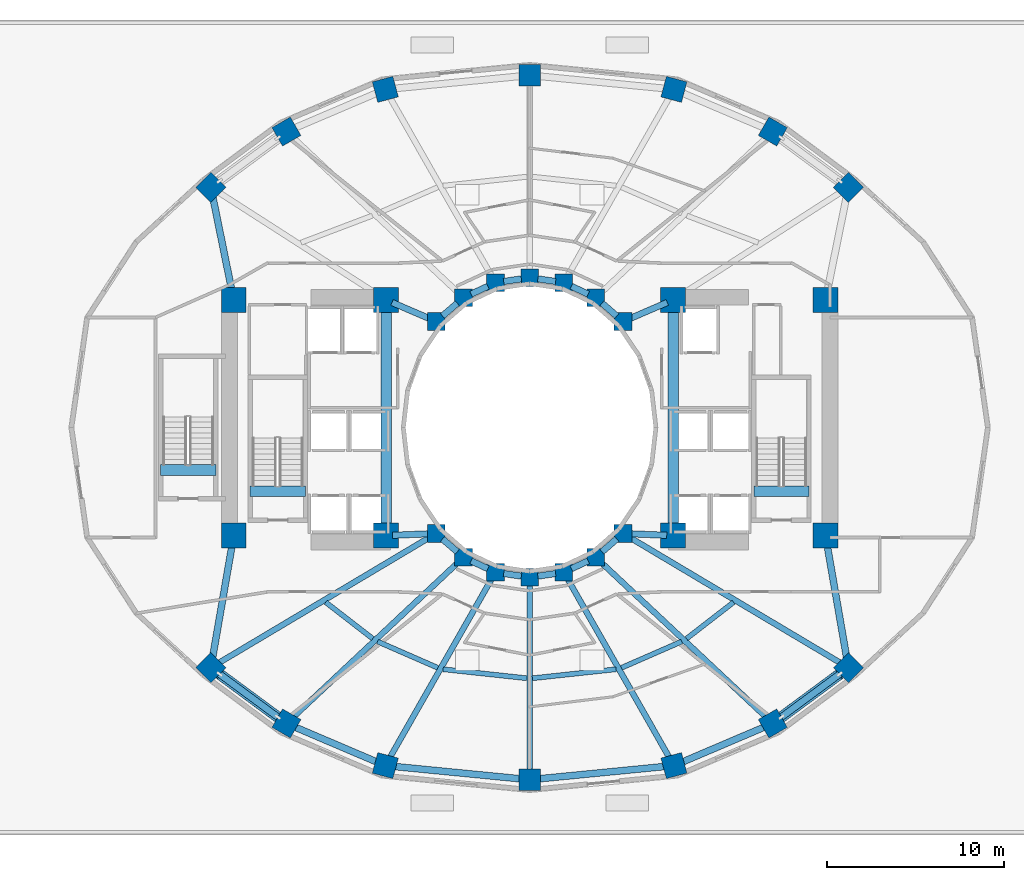
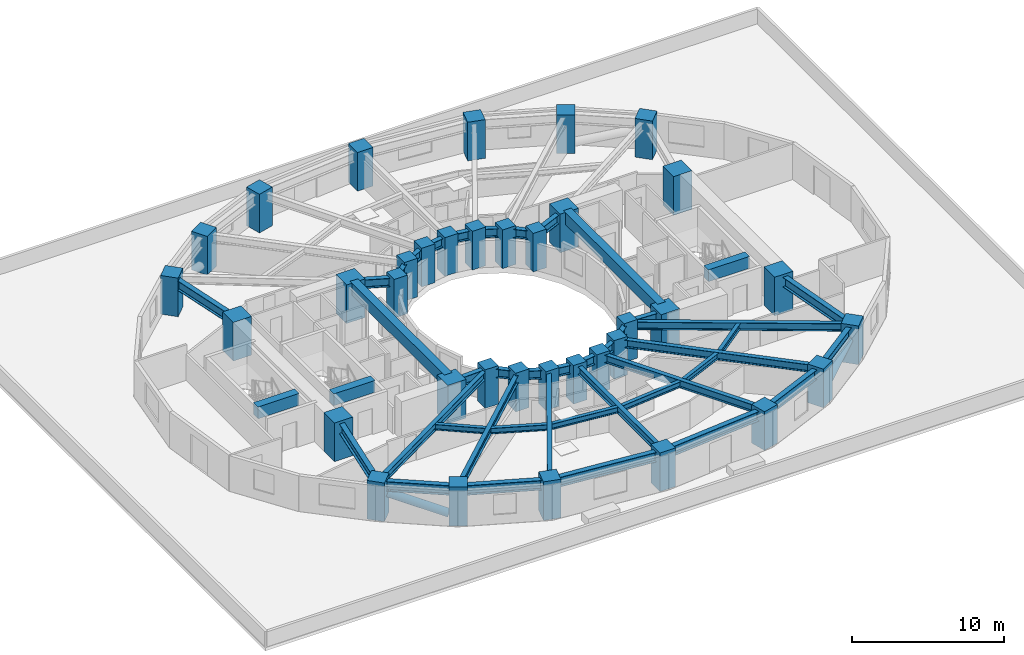
# One storey, part 1 of 10: 43 beams, 36 columns, 2 members.
"""IFC4 building model written with IfcOpenShell, lengths in metres."""

from ifc_helpers import new_model, si_unit, direction, frame, origin, origin_2d, place, context, subcontext, project, spatial, rectangle, hollow_circle, i_section, extrude, material, material_profile, profile_set, type_object, element, save


model = new_model("IFC4")

# Units and contexts
model_context = context("Model", 3, precision=1e-05, world=origin(), true_north=direction((0.0, 1.0)))
body_context = subcontext(model_context, "Body", "Model", "MODEL_VIEW")
ifc_project = project(units=[si_unit("LENGTHUNIT", "METRE"), si_unit("AREAUNIT", "SQUARE_METRE"), si_unit("VOLUMEUNIT", "CUBIC_METRE"), si_unit("PLANEANGLEUNIT", "RADIAN"), si_unit("MASSUNIT", "GRAM", prefix="KILO")], contexts=[model_context])

# Site, building, storey
site_placement = place(None, origin())
site = spatial("IfcSite", under=ifc_project, at=site_placement, CompositionType="ELEMENT")
building_placement = place(site_placement, origin())
building = spatial("IfcBuilding", under=site, at=building_placement, Name="Solvane Sanctuary Tower", CompositionType="ELEMENT")
storey_placement = place(building_placement, frame((0.0, 0.0, 27.60009765625)))
storey = spatial("IfcBuildingStorey", under=building, at=storey_placement, Name="L07", CompositionType="ELEMENT", Elevation=27.60009765625)

# Columns
ifc_material_1 = material(Name="Concrete C70/85", Category="concrete")
ifc_material_profile_1 = material_profile(ifc_material_1, rectangle(XDim=1.39990234375, YDim=1.39990234375, at=origin_2d()), Name="RC1400X1400")
ifc_profile_set_1 = profile_set([ifc_material_profile_1], Name="Concrete C70/85")
column_type_1 = type_object("IfcColumnType", Name="Column C-POD-INT RC1400X1400", PredefinedType="COLUMN", material=ifc_profile_set_1)
for number, where, z_axis, x_axis, name in (
    (1, (15.300048828125, 16.89990234375, 0.0), (0.0, 0.0, 1.0), (1.0, 0.0, 0.0), "L07 Core Corner Column CW1"),
    (2, (23.89990234375, 16.89990234375, 0.0), (0.0, 0.0, 1.0), (1.0, 0.0, 0.0), "L07 Core Corner Column CW2"),
    (3, (23.89990234375, 30.199951171875, 0.0), (0.0, 0.0, 1.0), (1.0, 0.0, 0.0), "L07 Core Corner Column CW3"),
    (4, (15.300048828125, 30.199951171875, 0.0), (0.0, 0.0, 1.0), (1.0, 0.0, 0.0), "L07 Core Corner Column CW4"),
    (5, (40.10009765625, 16.89990234375, 0.0), (0.0, 0.0, 1.0), (1.0, 0.0, 0.0), "L07 Core Corner Column CE1"),
    (6, (48.699951171875, 16.89990234375, 0.0), (0.0, 0.0, 1.0), (1.0, 0.0, 0.0), "L07 Core Corner Column CE2"),
    (7, (48.699951171875, 30.199951171875, 0.0), (0.0, 0.0, 1.0), (1.0, 0.0, 0.0), "L07 Core Corner Column CE3"),
    (8, (40.10009765625, 30.199951171875, 0.0), (0.0, 0.0, 1.0), (1.0, 0.0, 0.0), "L07 Core Corner Column CE4"),
):
    element("IfcColumn", number, at=place(storey_placement, frame(where, z_axis=z_axis, x_axis=x_axis)), inside=storey, type_object=column_type_1, Name=name, PredefinedType="COLUMN", context=body_context, shape_type="SweptSolid", body=[
        extrude(rectangle(XDim=1.39990234375, YDim=1.39990234375, at=origin_2d()), origin(), (0.0, 0.0, 1.0), 3.099853515625),
    ])
ifc_material_profile_2 = material_profile(ifc_material_1, rectangle(XDim=1.0, YDim=1.0, at=origin_2d()), Name="RC1000X1000")
ifc_profile_set_2 = profile_set([ifc_material_profile_2], Name="Concrete C70/85")
column_type_2 = type_object("IfcColumnType", Name="Column C-RING-Z1 RC1000X1000", PredefinedType="COLUMN", material=ifc_profile_set_2)
for number, where, z_axis, x_axis, name in (
    (9, (37.27490234375, 28.982177734375, 0.0), (0.0, 0.0, 1.0), (1.0, 0.0, 0.0), "L07 Inner Light-Well Ring Column IC01"),
    (10, (35.72998046875, 30.32666015625, 0.0), (0.0, 0.0, 1.0), (1.0, 0.0, 0.0), "L07 Inner Light-Well Ring Column IC02"),
    (11, (33.930908203125, 31.171630859375, 0.0), (0.0, 0.0, 1.0), (1.0, 0.0, 0.0), "L07 Inner Light-Well Ring Column IC03"),
    (12, (32.0, 31.4599609375, 0.0), (0.0, 0.0, 1.0), (1.0, 0.0, 0.0), "L07 Inner Light-Well Ring Column IC04"),
    (13, (30.069091796875, 31.171630859375, 0.0), (0.0, 0.0, 1.0), (1.0, 0.0, 0.0), "L07 Inner Light-Well Ring Column IC05"),
    (14, (28.27001953125, 30.32666015625, 0.0), (0.0, 0.0, 1.0), (1.0, 0.0, 0.0), "L07 Inner Light-Well Ring Column IC06"),
    (15, (26.72509765625, 28.982177734375, 0.0), (0.0, 0.0, 1.0), (1.0, 0.0, 0.0), "L07 Inner Light-Well Ring Column IC07"),
    (16, (26.72509765625, 17.017822265625, 0.0), (0.0, 0.0, 1.0), (1.0, 0.0, 0.0), "L07 Inner Light-Well Ring Column IC08"),
    (17, (28.27001953125, 15.67333984375, 0.0), (0.0, 0.0, 1.0), (1.0, 0.0, 0.0), "L07 Inner Light-Well Ring Column IC09"),
    (18, (30.069091796875, 14.828369140625, 0.0), (0.0, 0.0, 1.0), (1.0, 0.0, 0.0), "L07 Inner Light-Well Ring Column IC10"),
    (19, (32.0, 14.5400390625, 0.0), (0.0, 0.0, 1.0), (1.0, 0.0, 0.0), "L07 Inner Light-Well Ring Column IC11"),
    (20, (33.930908203125, 14.828369140625, 0.0), (0.0, 0.0, 1.0), (1.0, 0.0, 0.0), "L07 Inner Light-Well Ring Column IC12"),
    (21, (35.72998046875, 15.67333984375, 0.0), (0.0, 0.0, 1.0), (1.0, 0.0, 0.0), "L07 Inner Light-Well Ring Column IC13"),
    (22, (37.27490234375, 17.017822265625, 0.0), (0.0, 0.0, 1.0), (1.0, 0.0, 0.0), "L07 Inner Light-Well Ring Column IC14"),
):
    element("IfcColumn", number, at=place(storey_placement, frame(where, z_axis=z_axis, x_axis=x_axis)), inside=storey, type_object=column_type_2, Name=name, PredefinedType="COLUMN", context=body_context, shape_type="SweptSolid", body=[
        extrude(rectangle(XDim=1.0, YDim=1.0, at=origin_2d()), origin(), (0.0, 0.0, 1.0), 3.099853515625),
    ])
ifc_material_profile_3 = material_profile(ifc_material_1, rectangle(XDim=1.199951171875, YDim=1.199951171875, at=origin_2d()), Name="RC1200X1200")
ifc_profile_set_3 = profile_set([ifc_material_profile_3], Name="Concrete C70/85")
column_type_3 = type_object("IfcColumnType", Name="Column C-TUBE-Z1 RC1200X1200", PredefinedType="COLUMN", material=ifc_profile_set_3)
for number, where, z_axis, x_axis, name in (
    (23, (49.99169921875, 36.5537109375, 0.0), (0.0, 0.0, 1.0), (0.707106781187, 0.707106781187, 0.0), "L07 Perimeter Tube Column TC01"),
    (24, (45.727294921875, 39.7041015625, 0.0), (0.0, 0.0, 1.0), (0.5, 0.866025403784, 0.0), "L07 Perimeter Tube Column TC02"),
    (25, (40.14501953125, 42.083740234375, 0.0), (0.0, 0.0, 1.0), (0.258819045103, 0.965925826289, 0.0), "L07 Perimeter Tube Column TC03"),
    (26, (32.0, 42.8798828125, 0.0), (0.0, 0.0, 1.0), (0.0, 1.0, 0.0), "L07 Perimeter Tube Column TC04"),
    (27, (23.85498046875, 42.083740234375, 0.0), (0.0, 0.0, 1.0), (-0.258819045103, 0.965925826289, 0.0), "L07 Perimeter Tube Column TC05"),
    (28, (18.272705078125, 39.7041015625, 0.0), (0.0, 0.0, 1.0), (-0.5, 0.866025403784, 0.0), "L07 Perimeter Tube Column TC06"),
    (29, (14.00830078125, 36.5537109375, 0.0), (0.0, 0.0, 1.0), (-0.707106781187, 0.707106781187, 0.0), "L07 Perimeter Tube Column TC07"),
    (30, (14.00830078125, 9.4462890625, 0.0), (0.0, 0.0, 1.0), (-0.707106781187, -0.707106781187, 0.0), "L07 Perimeter Tube Column TC08"),
    (31, (18.272705078125, 6.2958984375, 0.0), (0.0, 0.0, 1.0), (-0.5, -0.866025403784, 0.0), "L07 Perimeter Tube Column TC09"),
    (32, (23.85498046875, 3.916259765625, 0.0), (0.0, 0.0, 1.0), (-0.258819045103, -0.965925826289, 0.0), "L07 Perimeter Tube Column TC10"),
    (33, (32.0, 3.1201171875, 0.0), (0.0, 0.0, 1.0), (0.0, -1.0, 0.0), "L07 Perimeter Tube Column TC11"),
    (34, (40.14501953125, 3.916259765625, 0.0), (0.0, 0.0, 1.0), (0.258819045103, -0.965925826289, 0.0), "L07 Perimeter Tube Column TC12"),
    (35, (45.727294921875, 6.2958984375, 0.0), (0.0, 0.0, 1.0), (0.5, -0.866025403784, 0.0), "L07 Perimeter Tube Column TC13"),
    (36, (49.99169921875, 9.4462890625, 0.0), (0.0, 0.0, 1.0), (0.707106781187, -0.707106781187, 0.0), "L07 Perimeter Tube Column TC14"),
):
    element("IfcColumn", number, at=place(storey_placement, frame(where, z_axis=z_axis, x_axis=x_axis)), inside=storey, type_object=column_type_3, Name=name, PredefinedType="COLUMN", context=body_context, shape_type="SweptSolid", body=[
        extrude(rectangle(XDim=1.199951171875, YDim=1.199951171875, at=origin_2d()), origin(), (0.0, 0.0, 1.0), 3.099853515625),
    ])

# Beams
ifc_material_profile_4 = material_profile(ifc_material_1, rectangle(XDim=0.60009765625, YDim=0.949951171875, at=origin_2d()), Name="RC600X950")
ifc_profile_set_4 = profile_set([ifc_material_profile_4], Name="Concrete C70/85")
beam_type_1 = type_object("IfcBeamType", Name="Beam B-COUPLE RC600X950", PredefinedType="LINTEL", material=ifc_profile_set_4)
for number, where, z_axis, x_axis, name in (
    (37, (23.89990234375, 17.35009765625, 2.625), (0.0, 1.0, 0.0), (-1.0, 0.0, 0.0), "L07 West Core Coupling Lintel"),
    (38, (40.10009765625, 17.35009765625, 2.625), (0.0, 1.0, 0.0), (-1.0, 0.0, 0.0), "L07 East Core Coupling Lintel"),
):
    element("IfcBeam", number, at=place(storey_placement, frame(where, z_axis=z_axis, x_axis=x_axis)), inside=storey, type_object=beam_type_1, Name=name, PredefinedType="LINTEL", context=body_context, shape_type="SweptSolid", body=[
        extrude(rectangle(XDim=0.60009765625, YDim=0.949951171875, at=origin_2d()), origin(), (0.0, 0.0, 1.0), 12.39990234375),
    ])
for number, where, z_axis, x_axis, name in (
    (39, (16.22998046875, 19.399169921875, 2.625), (1.0, 0.0, 0.0), (0.0, 1.0, 0.0), "L07 ST-1 Stair Floor Landing Trimmer"),
    (40, (44.64990234375, 19.399169921875, 2.625), (1.0, 0.0, 0.0), (0.0, 1.0, 0.0), "L07 ST-2 Stair Floor Landing Trimmer"),
    (41, (11.169921875, 20.59912109375, 2.625), (1.0, 0.0, 0.0), (0.0, 1.0, 0.0), "L07 ST-3 Stair Floor Landing Trimmer"),
):
    element("IfcBeam", number, at=place(storey_placement, frame(where, z_axis=z_axis, x_axis=x_axis)), inside=storey, type_object=beam_type_1, Name=name, PredefinedType="LINTEL", context=body_context, shape_type="SweptSolid", body=[
        extrude(rectangle(XDim=0.60009765625, YDim=0.949951171875, at=origin_2d()), origin(), (0.0, 0.0, 1.0), 3.1201171875),
    ])
ifc_material_2 = material(Name="Steel ASTM A992 Grade 50", Category="steel")
ifc_material_profile_5 = material_profile(ifc_material_2, i_section(OverallWidth=0.323974609375, OverallDepth=0.611083984375, WebThickness=0.0126953125, FlangeThickness=0.01904296875, FilletRadius=0.01611328125, at=origin_2d()), Name="W24X104")
ifc_profile_set_5 = profile_set([ifc_material_profile_5], Name="Steel ASTM A992 Grade 50")
beam_type_2 = type_object("IfcBeamType", Name="Beam B-RAD-Z1 W24X104", PredefinedType="BEAM", material=ifc_profile_set_5)
beam_1_placement = place(storey_placement, frame((26.484375, 16.874755859375, 2.572509765625), z_axis=(-0.859229187027, -0.511590856214, 0.0), x_axis=(0.511590856214, -0.859229187027, 0.0)))
element("IfcBeam", 42, at=beam_1_placement, inside=storey, type_object=beam_type_2, Name="L07 Radial Composite Floor Beam 08", PredefinedType="BEAM", context=body_context, shape_type="SweptSolid", body=[
    extrude(i_section(OverallWidth=0.323974609375, OverallDepth=0.611083984375, WebThickness=0.0126953125, FlangeThickness=0.01904296875, FilletRadius=0.01611328125, at=origin_2d()), origin(), (0.0, 0.0, 1.0), 14.240234375),
])
beam_2_placement = place(storey_placement, frame((28.06591796875, 15.481689453125, 2.572509765625), z_axis=(-0.729363446859, -0.68412642281, 0.0), x_axis=(0.68412642281, -0.729363446859, 0.0)))
element("IfcBeam", 43, at=beam_2_placement, inside=storey, type_object=beam_type_2, Name="L07 Radial Composite Floor Beam 09", PredefinedType="BEAM", context=body_context, shape_type="SweptSolid", body=[
    extrude(i_section(OverallWidth=0.323974609375, OverallDepth=0.611083984375, WebThickness=0.0126953125, FlangeThickness=0.01904296875, FilletRadius=0.01611328125, at=origin_2d()), origin(), (0.0, 0.0, 1.0), 13.14697265625),
])
beam_3_placement = place(storey_placement, frame((29.9306640625, 14.5849609375, 2.572509765625), z_axis=(-0.494862949167, -0.868971036078, 0.0), x_axis=(0.868971036078, -0.494862949167, 0.0)))
element("IfcBeam", 44, at=beam_3_placement, inside=storey, type_object=beam_type_2, Name="L07 Radial Composite Floor Beam 10", PredefinedType="BEAM", context=body_context, shape_type="SweptSolid", body=[
    extrude(i_section(OverallWidth=0.323974609375, OverallDepth=0.611083984375, WebThickness=0.0126953125, FlangeThickness=0.01904296875, FilletRadius=0.01611328125, at=origin_2d()), origin(), (0.0, 0.0, 1.0), 11.997314453125),
])
beam_4_placement = place(storey_placement, frame((32.0, 14.260009765625, 2.572509765625), z_axis=(0.0, -1.0, 0.0), x_axis=(1.0, 0.0, 0.0)))
element("IfcBeam", 45, at=beam_4_placement, inside=storey, type_object=beam_type_2, Name="L07 Radial Composite Floor Beam 11", PredefinedType="BEAM", context=body_context, shape_type="SweptSolid", body=[
    extrude(i_section(OverallWidth=0.323974609375, OverallDepth=0.611083984375, WebThickness=0.0126953125, FlangeThickness=0.01904296875, FilletRadius=0.01611328125, at=origin_2d()), origin(), (0.0, 0.0, 1.0), 10.860107421875),
])
beam_5_placement = place(storey_placement, frame((34.0693359375, 14.5849609375, 2.572509765625), z_axis=(0.494862949167, -0.868971036078, 0.0), x_axis=(0.868971036078, 0.494862949167, 0.0)))
element("IfcBeam", 46, at=beam_5_placement, inside=storey, type_object=beam_type_2, Name="L07 Radial Composite Floor Beam 12", PredefinedType="BEAM", context=body_context, shape_type="SweptSolid", body=[
    extrude(i_section(OverallWidth=0.323974609375, OverallDepth=0.611083984375, WebThickness=0.0126953125, FlangeThickness=0.01904296875, FilletRadius=0.01611328125, at=origin_2d()), origin(), (0.0, 0.0, 1.0), 11.997314453125),
])
beam_6_placement = place(storey_placement, frame((35.93408203125, 15.481689453125, 2.572509765625), z_axis=(0.729363446859, -0.68412642281, 0.0), x_axis=(0.68412642281, 0.729363446859, 0.0)))
element("IfcBeam", 47, at=beam_6_placement, inside=storey, type_object=beam_type_2, Name="L07 Radial Composite Floor Beam 13", PredefinedType="BEAM", context=body_context, shape_type="SweptSolid", body=[
    extrude(i_section(OverallWidth=0.323974609375, OverallDepth=0.611083984375, WebThickness=0.0126953125, FlangeThickness=0.01904296875, FilletRadius=0.01611328125, at=origin_2d()), origin(), (0.0, 0.0, 1.0), 13.14697265625),
])
beam_7_placement = place(storey_placement, frame((37.515625, 16.874755859375, 2.572509765625), z_axis=(0.859229187027, -0.511590856214, 0.0), x_axis=(0.511590856214, 0.859229187027, 0.0)))
element("IfcBeam", 48, at=beam_7_placement, inside=storey, type_object=beam_type_2, Name="L07 Radial Composite Floor Beam 14", PredefinedType="BEAM", context=body_context, shape_type="SweptSolid", body=[
    extrude(i_section(OverallWidth=0.323974609375, OverallDepth=0.611083984375, WebThickness=0.0126953125, FlangeThickness=0.01904296875, FilletRadius=0.01611328125, at=origin_2d()), origin(), (0.0, 0.0, 1.0), 14.240234375),
])
ifc_material_profile_6 = material_profile(ifc_material_2, i_section(OverallWidth=0.35498046875, OverallDepth=0.695068359375, WebThickness=0.015380859375, FlangeThickness=0.02490234375, FilletRadius=0.01806640625, at=origin_2d()), Name="W27X146")
ifc_profile_set_6 = profile_set([ifc_material_profile_6], Name="Steel ASTM A992 Grade 50")
beam_type_3 = type_object("IfcBeamType", Name="Beam B-RING-IN1 W27X146", PredefinedType="BEAM", material=ifc_profile_set_6)
beam_8_placement = place(storey_placement, frame((24.230712890625, 30.0576171875, 2.530517578125), z_axis=(0.918277080365, -0.395938383687, 0.0), x_axis=(0.395938383687, 0.918277080365, 0.0)))
element("IfcBeam", 49, at=beam_8_placement, inside=storey, type_object=beam_type_3, Name="L07 Inner Light-Well Ring Beam CW3-IC07", PredefinedType="BEAM", context=body_context, shape_type="SweptSolid", body=[
    extrude(i_section(OverallWidth=0.35498046875, OverallDepth=0.695068359375, WebThickness=0.015380859375, FlangeThickness=0.02490234375, FilletRadius=0.01806640625, at=origin_2d()), origin(), (0.0, 0.0, 1.0), 2.246337890625),
])
beam_9_placement = place(storey_placement, frame((27.07958984375, 29.29052734375, 2.530517578125), z_axis=(0.754320881993, 0.65650590781, 0.0), x_axis=(-0.65650590781, 0.754320881993, 0.0)))
element("IfcBeam", 50, at=beam_9_placement, inside=storey, type_object=beam_type_3, Name="L07 Inner Light-Well Ring Beam IC07-IC06", PredefinedType="BEAM", context=body_context, shape_type="SweptSolid", body=[
    extrude(i_section(OverallWidth=0.35498046875, OverallDepth=0.695068359375, WebThickness=0.015380859375, FlangeThickness=0.02490234375, FilletRadius=0.01806640625, at=origin_2d()), origin(), (0.0, 0.0, 1.0), 1.108154296875),
])
beam_10_placement = place(storey_placement, frame((28.6953125, 30.5263671875, 2.530517578125), z_axis=(0.905108885866, 0.42517984986, 0.0), x_axis=(-0.42517984986, 0.905108885866, 0.0)))
element("IfcBeam", 51, at=beam_10_placement, inside=storey, type_object=beam_type_3, Name="L07 Inner Light-Well Ring Beam IC06-IC05", PredefinedType="BEAM", context=body_context, shape_type="SweptSolid", body=[
    extrude(i_section(OverallWidth=0.35498046875, OverallDepth=0.695068359375, WebThickness=0.015380859375, FlangeThickness=0.02490234375, FilletRadius=0.01806640625, at=origin_2d()), origin(), (0.0, 0.0, 1.0), 1.0478515625),
])
for number, where, z_axis, x_axis, name in (
    (52, (30.533935546875, 31.2412109375, 2.530517578125), (0.989047520133, 0.147597435338, 0.0), (-0.147597435338, 0.989047520133, 0.0), "L07 Inner Light-Well Ring Beam IC05-IC04"),
    (53, (32.46484375, 31.390625, 2.530517578125), (0.989047520133, -0.147597435338, 0.0), (0.147597435338, 0.989047520133, 0.0), "L07 Inner Light-Well Ring Beam IC04-IC03"),
):
    element("IfcBeam", number, at=place(storey_placement, frame(where, z_axis=z_axis, x_axis=x_axis)), inside=storey, type_object=beam_type_3, Name=name, PredefinedType="BEAM", context=body_context, shape_type="SweptSolid", body=[
        extrude(i_section(OverallWidth=0.35498046875, OverallDepth=0.695068359375, WebThickness=0.015380859375, FlangeThickness=0.02490234375, FilletRadius=0.01806640625, at=origin_2d()), origin(), (0.0, 0.0, 1.0), 1.01220703125),
    ])
beam_11_placement = place(storey_placement, frame((34.356201171875, 30.971923828125, 2.530517578125), z_axis=(0.905108885866, -0.42517984986, 0.0), x_axis=(0.42517984986, 0.905108885866, 0.0)))
element("IfcBeam", 54, at=beam_11_placement, inside=storey, type_object=beam_type_3, Name="L07 Inner Light-Well Ring Beam IC03-IC02", PredefinedType="BEAM", context=body_context, shape_type="SweptSolid", body=[
    extrude(i_section(OverallWidth=0.35498046875, OverallDepth=0.695068359375, WebThickness=0.015380859375, FlangeThickness=0.02490234375, FilletRadius=0.01806640625, at=origin_2d()), origin(), (0.0, 0.0, 1.0), 1.0478515625),
])
beam_12_placement = place(storey_placement, frame((36.08447265625, 30.01806640625, 2.530517578125), z_axis=(0.754320881993, -0.65650590781, 0.0), x_axis=(0.65650590781, 0.754320881993, 0.0)))
element("IfcBeam", 55, at=beam_12_placement, inside=storey, type_object=beam_type_3, Name="L07 Inner Light-Well Ring Beam IC02-IC01", PredefinedType="BEAM", context=body_context, shape_type="SweptSolid", body=[
    extrude(i_section(OverallWidth=0.35498046875, OverallDepth=0.695068359375, WebThickness=0.015380859375, FlangeThickness=0.02490234375, FilletRadius=0.01806640625, at=origin_2d()), origin(), (0.0, 0.0, 1.0), 1.108154296875),
])
beam_13_placement = place(storey_placement, frame((37.70654296875, 29.168212890625, 2.530517578125), z_axis=(0.918277080365, 0.395938383687, 0.0), x_axis=(-0.395938383687, 0.918277080365, 0.0)))
element("IfcBeam", 56, at=beam_13_placement, inside=storey, type_object=beam_type_3, Name="L07 Inner Light-Well Ring Beam IC01-CE4", PredefinedType="BEAM", context=body_context, shape_type="SweptSolid", body=[
    extrude(i_section(OverallWidth=0.35498046875, OverallDepth=0.695068359375, WebThickness=0.015380859375, FlangeThickness=0.02490234375, FilletRadius=0.01806640625, at=origin_2d()), origin(), (0.0, 0.0, 1.0), 2.246337890625),
])
beam_14_placement = place(storey_placement, frame((24.259765625, 16.9150390625, 2.530517578125), z_axis=(0.999130953379, 0.041681386726, 0.0), x_axis=(-0.041681386726, 0.999130953379, 0.0)))
element("IfcBeam", 57, at=beam_14_placement, inside=storey, type_object=beam_type_3, Name="L07 Inner Light-Well Ring Beam CW2-IC08", PredefinedType="BEAM", context=body_context, shape_type="SweptSolid", body=[
    extrude(i_section(OverallWidth=0.35498046875, OverallDepth=0.695068359375, WebThickness=0.015380859375, FlangeThickness=0.02490234375, FilletRadius=0.01806640625, at=origin_2d()), origin(), (0.0, 0.0, 1.0), 1.997314453125),
])
beam_15_placement = place(storey_placement, frame((27.07958984375, 16.70947265625, 2.530517578125), z_axis=(0.754320881993, -0.65650590781, 0.0), x_axis=(0.65650590781, 0.754320881993, 0.0)))
element("IfcBeam", 58, at=beam_15_placement, inside=storey, type_object=beam_type_3, Name="L07 Inner Light-Well Ring Beam IC08-IC09", PredefinedType="BEAM", context=body_context, shape_type="SweptSolid", body=[
    extrude(i_section(OverallWidth=0.35498046875, OverallDepth=0.695068359375, WebThickness=0.015380859375, FlangeThickness=0.02490234375, FilletRadius=0.01806640625, at=origin_2d()), origin(), (0.0, 0.0, 1.0), 1.108154296875),
])
beam_16_placement = place(storey_placement, frame((28.6953125, 15.4736328125, 2.530517578125), z_axis=(0.905108885866, -0.42517984986, 0.0), x_axis=(0.42517984986, 0.905108885866, 0.0)))
element("IfcBeam", 59, at=beam_16_placement, inside=storey, type_object=beam_type_3, Name="L07 Inner Light-Well Ring Beam IC09-IC10", PredefinedType="BEAM", context=body_context, shape_type="SweptSolid", body=[
    extrude(i_section(OverallWidth=0.35498046875, OverallDepth=0.695068359375, WebThickness=0.015380859375, FlangeThickness=0.02490234375, FilletRadius=0.01806640625, at=origin_2d()), origin(), (0.0, 0.0, 1.0), 1.0478515625),
])
for number, where, z_axis, x_axis, name in (
    (60, (30.533935546875, 14.7587890625, 2.530517578125), (0.989047520133, -0.147597435338, 0.0), (0.147597435338, 0.989047520133, 0.0), "L07 Inner Light-Well Ring Beam IC10-IC11"),
    (61, (32.46484375, 14.609375, 2.530517578125), (0.989047520133, 0.147597435338, 0.0), (-0.147597435338, 0.989047520133, 0.0), "L07 Inner Light-Well Ring Beam IC11-IC12"),
):
    element("IfcBeam", number, at=place(storey_placement, frame(where, z_axis=z_axis, x_axis=x_axis)), inside=storey, type_object=beam_type_3, Name=name, PredefinedType="BEAM", context=body_context, shape_type="SweptSolid", body=[
        extrude(i_section(OverallWidth=0.35498046875, OverallDepth=0.695068359375, WebThickness=0.015380859375, FlangeThickness=0.02490234375, FilletRadius=0.01806640625, at=origin_2d()), origin(), (0.0, 0.0, 1.0), 1.01220703125),
    ])
beam_17_placement = place(storey_placement, frame((34.356201171875, 15.028076171875, 2.530517578125), z_axis=(0.905108885866, 0.42517984986, 0.0), x_axis=(-0.42517984986, 0.905108885866, 0.0)))
element("IfcBeam", 62, at=beam_17_placement, inside=storey, type_object=beam_type_3, Name="L07 Inner Light-Well Ring Beam IC12-IC13", PredefinedType="BEAM", context=body_context, shape_type="SweptSolid", body=[
    extrude(i_section(OverallWidth=0.35498046875, OverallDepth=0.695068359375, WebThickness=0.015380859375, FlangeThickness=0.02490234375, FilletRadius=0.01806640625, at=origin_2d()), origin(), (0.0, 0.0, 1.0), 1.0478515625),
])
beam_18_placement = place(storey_placement, frame((36.08447265625, 15.98193359375, 2.530517578125), z_axis=(0.754320881993, 0.65650590781, 0.0), x_axis=(-0.65650590781, 0.754320881993, 0.0)))
element("IfcBeam", 63, at=beam_18_placement, inside=storey, type_object=beam_type_3, Name="L07 Inner Light-Well Ring Beam IC13-IC14", PredefinedType="BEAM", context=body_context, shape_type="SweptSolid", body=[
    extrude(i_section(OverallWidth=0.35498046875, OverallDepth=0.695068359375, WebThickness=0.015380859375, FlangeThickness=0.02490234375, FilletRadius=0.01806640625, at=origin_2d()), origin(), (0.0, 0.0, 1.0), 1.108154296875),
])
beam_19_placement = place(storey_placement, frame((37.74462890625, 16.998291015625, 2.530517578125), z_axis=(0.999130953379, -0.041681386726, 0.0), x_axis=(0.041681386726, 0.999130953379, 0.0)))
element("IfcBeam", 64, at=beam_19_placement, inside=storey, type_object=beam_type_3, Name="L07 Inner Light-Well Ring Beam IC14-CE1", PredefinedType="BEAM", context=body_context, shape_type="SweptSolid", body=[
    extrude(i_section(OverallWidth=0.35498046875, OverallDepth=0.695068359375, WebThickness=0.015380859375, FlangeThickness=0.02490234375, FilletRadius=0.01806640625, at=origin_2d()), origin(), (0.0, 0.0, 1.0), 1.997314453125),
])
ifc_material_profile_7 = material_profile(ifc_material_2, i_section(OverallWidth=0.280029296875, OverallDepth=0.462890625, WebThickness=0.0107421875, FlangeThickness=0.017333984375, FilletRadius=0.013916015625, at=origin_2d()), Name="W18X76")
ifc_profile_set_7 = profile_set([ifc_material_profile_7], Name="Steel ASTM A992 Grade 50")
beam_type_4 = type_object("IfcBeamType", Name="Beam B-SEC-JOIST W18X76", PredefinedType="JOIST", material=ifc_profile_set_7)
beam_20_placement = place(storey_placement, frame((20.49072265625, 13.135986328125, 2.646484375), z_axis=(0.790934777094, -0.611900464441, 0.0), x_axis=(0.611900464441, 0.790934777094, 0.0)))
element("IfcBeam", 65, at=beam_20_placement, inside=storey, type_object=beam_type_4, Name="L07 Secondary Circumferential Joist 08-09", PredefinedType="JOIST", context=body_context, shape_type="SweptSolid", body=[
    extrude(i_section(OverallWidth=0.280029296875, OverallDepth=0.462890625, WebThickness=0.0107421875, FlangeThickness=0.017333984375, FilletRadius=0.013916015625, at=origin_2d()), origin(), (0.0, 0.0, 1.0), 3.358642578125),
])
beam_21_placement = place(storey_placement, frame((23.415283203125, 10.921875, 2.646484375), z_axis=(0.916382007922, -0.400304903238, 0.0), x_axis=(0.400304903238, 0.916382007922, 0.0)))
element("IfcBeam", 66, at=beam_21_placement, inside=storey, type_object=beam_type_4, Name="L07 Secondary Circumferential Joist 09-10", PredefinedType="JOIST", context=body_context, shape_type="SweptSolid", body=[
    extrude(i_section(OverallWidth=0.280029296875, OverallDepth=0.462890625, WebThickness=0.0107421875, FlangeThickness=0.017333984375, FilletRadius=0.013916015625, at=origin_2d()), origin(), (0.0, 0.0, 1.0), 3.713623046875),
])
for number, where, z_axis, x_axis, name in (
    (67, (27.118408203125, 9.35546875, 2.646484375), (0.994253832067, -0.107048201386, 0.0), (0.107048201386, 0.994253832067, 0.0), "L07 Secondary Circumferential Joist 10-11"),
    (68, (32.156005859375, 8.8466796875, 2.646484375), (0.994253832067, 0.107048201386, 0.0), (-0.107048201386, 0.994253832067, 0.0), "L07 Secondary Circumferential Joist 11-12"),
):
    element("IfcBeam", number, at=place(storey_placement, frame(where, z_axis=z_axis, x_axis=x_axis)), inside=storey, type_object=beam_type_4, Name=name, PredefinedType="JOIST", context=body_context, shape_type="SweptSolid", body=[
        extrude(i_section(OverallWidth=0.280029296875, OverallDepth=0.462890625, WebThickness=0.0107421875, FlangeThickness=0.017333984375, FilletRadius=0.013916015625, at=origin_2d()), origin(), (0.0, 0.0, 1.0), 4.7529296875),
    ])
beam_22_placement = place(storey_placement, frame((37.181640625, 9.435302734375, 2.646484375), z_axis=(0.916382007922, 0.400304903238, 0.0), x_axis=(-0.400304903238, 0.916382007922, 0.0)))
element("IfcBeam", 69, at=beam_22_placement, inside=storey, type_object=beam_type_4, Name="L07 Secondary Circumferential Joist 12-13", PredefinedType="JOIST", context=body_context, shape_type="SweptSolid", body=[
    extrude(i_section(OverallWidth=0.280029296875, OverallDepth=0.462890625, WebThickness=0.0107421875, FlangeThickness=0.017333984375, FilletRadius=0.013916015625, at=origin_2d()), origin(), (0.0, 0.0, 1.0), 3.713623046875),
])
beam_23_placement = place(storey_placement, frame((40.852783203125, 11.080810546875, 2.646484375), z_axis=(0.790934777094, 0.611900464441, 0.0), x_axis=(-0.611900464441, 0.790934777094, 0.0)))
element("IfcBeam", 70, at=beam_23_placement, inside=storey, type_object=beam_type_4, Name="L07 Secondary Circumferential Joist 13-14", PredefinedType="JOIST", context=body_context, shape_type="SweptSolid", body=[
    extrude(i_section(OverallWidth=0.280029296875, OverallDepth=0.462890625, WebThickness=0.0107421875, FlangeThickness=0.017333984375, FilletRadius=0.013916015625, at=origin_2d()), origin(), (0.0, 0.0, 1.0), 3.358642578125),
])
ifc_material_profile_8 = material_profile(ifc_material_2, i_section(OverallWidth=0.382080078125, OverallDepth=0.779052734375, WebThickness=0.01806640625, FlangeThickness=0.030029296875, FilletRadius=0.02001953125, at=origin_2d()), Name="W30X191")
ifc_profile_set_8 = profile_set([ifc_material_profile_8], Name="Steel ASTM A992 Grade 50")
beam_type_5 = type_object("IfcBeamType", Name="Beam B-SPAND-Z1 W30X191", PredefinedType="SPANDREL", material=ifc_profile_set_8)
beam_24_placement = place(storey_placement, frame((15.244140625, 30.474365234375, 2.48828125), z_axis=(-0.199190417877, 0.979960804025, 0.0), x_axis=(-0.979960804025, -0.199190417877, 0.0)))
element("IfcBeam", 71, at=beam_24_placement, inside=storey, type_object=beam_type_5, Name="L07 Perimeter Spandrel Beam CW4-TC07", PredefinedType="SPANDREL", context=body_context, shape_type="SweptSolid", body=[
    extrude(i_section(OverallWidth=0.382080078125, OverallDepth=0.779052734375, WebThickness=0.01806640625, FlangeThickness=0.030029296875, FilletRadius=0.02001953125, at=origin_2d()), origin(), (0.0, 0.0, 1.0), 5.923583984375),
])
beam_25_placement = place(storey_placement, frame((15.252197265625, 16.6240234375, 2.48828125), z_axis=(-0.170754238709, -0.985313650551, 0.0), x_axis=(0.985313650551, -0.170754238709, 0.0)))
element("IfcBeam", 72, at=beam_25_placement, inside=storey, type_object=beam_type_5, Name="L07 Perimeter Spandrel Beam CW1-TC08", PredefinedType="SPANDREL", context=body_context, shape_type="SweptSolid", body=[
    extrude(i_section(OverallWidth=0.382080078125, OverallDepth=0.779052734375, WebThickness=0.01806640625, FlangeThickness=0.030029296875, FilletRadius=0.02001953125, at=origin_2d()), origin(), (0.0, 0.0, 1.0), 7.00439453125),
])
beam_26_placement = place(storey_placement, frame((14.2333984375, 9.280029296875, 2.48828125), z_axis=(0.804334467125, -0.594176796076, 0.0), x_axis=(0.594176796076, 0.804334467125, 0.0)))
element("IfcBeam", 73, at=beam_26_placement, inside=storey, type_object=beam_type_5, Name="L07 Perimeter Spandrel Beam TC08-TC09", PredefinedType="SPANDREL", context=body_context, shape_type="SweptSolid", body=[
    extrude(i_section(OverallWidth=0.382080078125, OverallDepth=0.779052734375, WebThickness=0.01806640625, FlangeThickness=0.030029296875, FilletRadius=0.02001953125, at=origin_2d()), origin(), (0.0, 0.0, 1.0), 4.7421875),
])
beam_27_placement = place(storey_placement, frame((18.530517578125, 6.18603515625, 2.48828125), z_axis=(0.919906751835, -0.392137179988, 0.0), x_axis=(0.392137179988, 0.919906751835, 0.0)))
element("IfcBeam", 74, at=beam_27_placement, inside=storey, type_object=beam_type_5, Name="L07 Perimeter Spandrel Beam TC09-TC10", PredefinedType="SPANDREL", context=body_context, shape_type="SweptSolid", body=[
    extrude(i_section(OverallWidth=0.382080078125, OverallDepth=0.779052734375, WebThickness=0.01806640625, FlangeThickness=0.030029296875, FilletRadius=0.02001953125, at=origin_2d()), origin(), (0.0, 0.0, 1.0), 5.508056640625),
])
for number, where, z_axis, x_axis, name in (
    (75, (24.1337890625, 3.88916015625, 2.48828125), (0.995252945064, -0.097322018793, 0.0), (0.097322018793, 0.995252945064, 0.0), "L07 Perimeter Spandrel Beam TC10-TC11"),
    (76, (32.27880859375, 3.147216796875, 2.48828125), (0.995252945064, 0.097322018793, 0.0), (-0.097322018793, 0.995252945064, 0.0), "L07 Perimeter Spandrel Beam TC11-TC12"),
):
    element("IfcBeam", number, at=place(storey_placement, frame(where, z_axis=z_axis, x_axis=x_axis)), inside=storey, type_object=beam_type_5, Name=name, PredefinedType="SPANDREL", context=body_context, shape_type="SweptSolid", body=[
        extrude(i_section(OverallWidth=0.382080078125, OverallDepth=0.779052734375, WebThickness=0.01806640625, FlangeThickness=0.030029296875, FilletRadius=0.02001953125, at=origin_2d()), origin(), (0.0, 0.0, 1.0), 7.62353515625),
    ])
beam_28_placement = place(storey_placement, frame((40.402587890625, 4.026123046875, 2.48828125), z_axis=(0.919906751835, 0.392137179988, 0.0), x_axis=(-0.392137179988, 0.919906751835, 0.0)))
element("IfcBeam", 77, at=beam_28_placement, inside=storey, type_object=beam_type_5, Name="L07 Perimeter Spandrel Beam TC12-TC13", PredefinedType="SPANDREL", context=body_context, shape_type="SweptSolid", body=[
    extrude(i_section(OverallWidth=0.382080078125, OverallDepth=0.779052734375, WebThickness=0.01806640625, FlangeThickness=0.030029296875, FilletRadius=0.02001953125, at=origin_2d()), origin(), (0.0, 0.0, 1.0), 5.508056640625),
])
beam_29_placement = place(storey_placement, frame((45.952392578125, 6.46240234375, 2.48828125), z_axis=(0.804334467125, 0.594176796076, 0.0), x_axis=(-0.594176796076, 0.804334467125, 0.0)))
element("IfcBeam", 78, at=beam_29_placement, inside=storey, type_object=beam_type_5, Name="L07 Perimeter Spandrel Beam TC13-TC14", PredefinedType="SPANDREL", context=body_context, shape_type="SweptSolid", body=[
    extrude(i_section(OverallWidth=0.382080078125, OverallDepth=0.779052734375, WebThickness=0.01806640625, FlangeThickness=0.030029296875, FilletRadius=0.02001953125, at=origin_2d()), origin(), (0.0, 0.0, 1.0), 4.7421875),
])
beam_30_placement = place(storey_placement, frame((49.94384765625, 9.722412109375, 2.48828125), z_axis=(-0.170754238709, 0.985313650551, 0.0), x_axis=(-0.985313650551, -0.170754238709, 0.0)))
element("IfcBeam", 79, at=beam_30_placement, inside=storey, type_object=beam_type_5, Name="L07 Perimeter Spandrel Beam TC14-CE2", PredefinedType="SPANDREL", context=body_context, shape_type="SweptSolid", body=[
    extrude(i_section(OverallWidth=0.382080078125, OverallDepth=0.779052734375, WebThickness=0.01806640625, FlangeThickness=0.030029296875, FilletRadius=0.02001953125, at=origin_2d()), origin(), (0.0, 0.0, 1.0), 7.00439453125),
])

# Members
ifc_material_profile_9 = material_profile(ifc_material_2, hollow_circle(Radius=0.304931640625, WallThickness=0.01611328125, at=origin_2d()), Name="CHS610X16")
ifc_profile_set_9 = profile_set([ifc_material_profile_9], Name="Steel ASTM A992 Grade 50")
member_type = type_object("IfcMemberType", Name="Member M-TUBE-Z1 CHS610X16", PredefinedType="BRACE", material=ifc_profile_set_9)
for number, where, z_axis, x_axis, name in (
    (80, (17.779541015625, 6.660400390625, 0.578857421875), (-0.765137923591, 0.565199520065, 0.308404702302), (-0.594161791503, -0.804345551065, 0.0), "L07 Perimeter Braced-Tube Diagonal SW"),
    (81, (46.220458984375, 6.660400390625, 0.578857421875), (0.765137923591, 0.565199520065, 0.308404702302), (-0.594161791503, 0.804345551065, 0.0), "L07 Perimeter Braced-Tube Diagonal SE"),
):
    element("IfcMember", number, at=place(storey_placement, frame(where, z_axis=z_axis, x_axis=x_axis)), inside=storey, type_object=member_type, Name=name, PredefinedType="BRACE", context=body_context, shape_type="SweptSolid", body=[
        extrude(hollow_circle(Radius=0.304931640625, WallThickness=0.01611328125, at=origin_2d()), origin(), (0.0, 0.0, 1.0), 4.281005859375),
    ])

save(model, "model.ifc")
